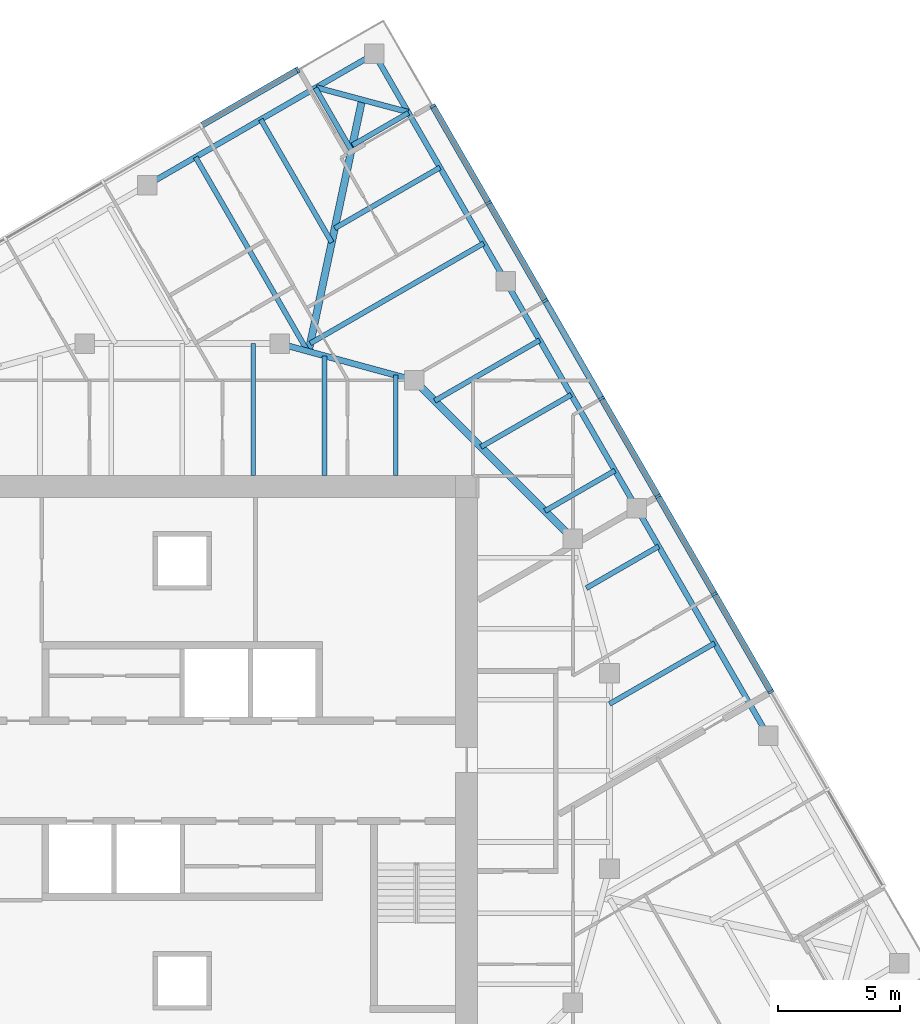
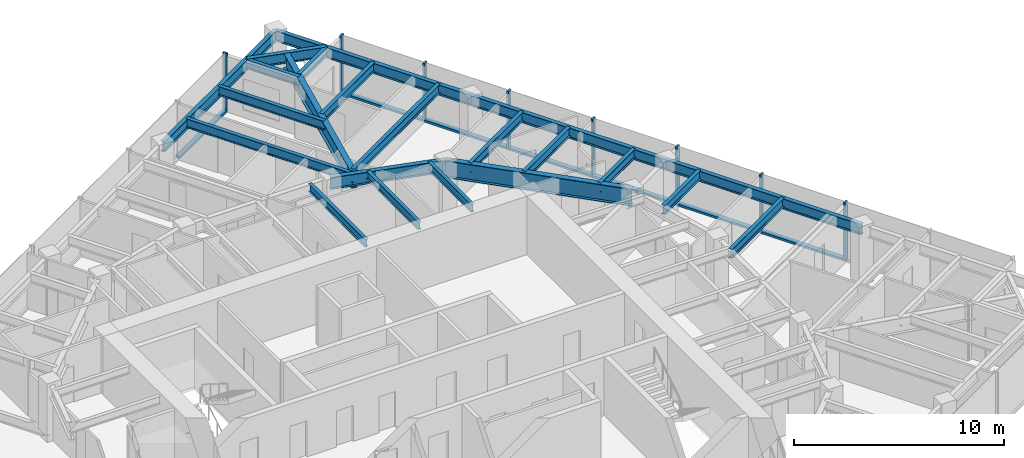
# One storey, part 5 of 12: 22 beams, 15 members, 2 elements without a shape of their own.
"""IFC4 building model written with IfcOpenShell, lengths in metres."""

from ifc_helpers import new_model, si_unit, direction, frame, origin, origin_2d, place, context, subcontext, project, spatial, rectangle, i_section, extrude, material, material_profile, profile_set, type_object, element, aggregate, save


model = new_model("IFC4")

# Units and contexts
model_context = context("Model", 3, precision=1e-05, world=origin(), true_north=direction((0.0, 1.0)))
body_context = subcontext(model_context, "Body", "Model", "MODEL_VIEW")
ifc_project = project(units=[si_unit("LENGTHUNIT", "METRE"), si_unit("AREAUNIT", "SQUARE_METRE"), si_unit("VOLUMEUNIT", "CUBIC_METRE"), si_unit("PLANEANGLEUNIT", "RADIAN"), si_unit("MASSUNIT", "GRAM", prefix="KILO")], contexts=[model_context])

# Site, building, storey
site_placement = place(None, origin())
site = spatial("IfcSite", under=ifc_project, at=site_placement, CompositionType="ELEMENT")
building_placement = place(site_placement, origin())
building = spatial("IfcBuilding", under=site, at=building_placement, Name="Torsade Residences", CompositionType="ELEMENT")
storey_placement = place(building_placement, frame((0.0, 0.0, 218.39990234375)))
storey = spatial("IfcBuildingStorey", under=building, at=storey_placement, Name="L60", CompositionType="ELEMENT", Elevation=218.39990234375)

# Beams
ifc_material_1 = material(Name="Steel grade 300", Category="steel")
ifc_material_profile_1 = material_profile(ifc_material_1, i_section(OverallWidth=0.300048828125, OverallDepth=0.89990234375, WebThickness=0.011962890625, FlangeThickness=0.02490234375, at=origin_2d()), Name="900WB175")
ifc_profile_set_1 = profile_set([ifc_material_profile_1], Name="Steel grade 300")
beam_type_1 = type_object("IfcBeamType", Name="CORNER GIRDER 900WB175", PredefinedType="BEAM", material=ifc_profile_set_1)
beam_1_placement = place(storey_placement, frame((47.3662109375, 57.4912109375, 2.800048828125), z_axis=(-0.20806427425, -0.978115155685, 0.0), x_axis=(0.978115155685, -0.20806427425, 0.0)))
element("IfcBeam", 1, at=beam_1_placement, inside=storey, type_object=beam_type_1, Name="Corner girder 09 L61", PredefinedType="BEAM", context=body_context, shape_type="SweptSolid", body=[
    extrude(i_section(OverallWidth=0.300048828125, OverallDepth=0.89990234375, WebThickness=0.011962890625, FlangeThickness=0.02490234375, at=origin_2d()), origin(), (0.0, 0.0, 1.0), 10.541748046875),
])
ifc_material_2 = material(Name="Steel grade 300", Category="steel")
ifc_material_profile_2 = material_profile(ifc_material_2, i_section(OverallWidth=0.22802734375, OverallDepth=0.60205078125, WebThickness=0.010498046875, FlangeThickness=0.014892578125, FilletRadius=0.013916015625, at=origin_2d()), Name="610UB101")
ifc_profile_set_2 = profile_set([ifc_material_profile_2], Name="Steel grade 300")
beam_type_2 = type_object("IfcBeamType", Name="CORNER TRIMMER 610UB101", PredefinedType="BEAM", material=ifc_profile_set_2)
beam_2_placement = place(storey_placement, frame((45.488037109375, 57.99462890625, 2.94921875), z_axis=(0.965924794002, -0.258822897619, 0.0), x_axis=(0.258822897619, 0.965924794002, 0.0)))
element("IfcBeam", 2, at=beam_2_placement, inside=storey, type_object=beam_type_2, Name="Corner trimmer 09 L61", PredefinedType="BEAM", context=body_context, shape_type="SweptSolid", body=[
    extrude(i_section(OverallWidth=0.22802734375, OverallDepth=0.60205078125, WebThickness=0.010498046875, FlangeThickness=0.014892578125, FilletRadius=0.013916015625, at=origin_2d()), origin(), (0.0, 0.0, 1.0), 3.88916015625),
])
ifc_material_3 = material(Name="Steel grade 300", Category="steel")
ifc_material_profile_3 = material_profile(ifc_material_3, i_section(OverallWidth=0.22900390625, OverallDepth=0.612060546875, WebThickness=0.011962890625, FlangeThickness=0.01953125, FilletRadius=0.013916015625, at=origin_2d()), Name="610UB125")
ifc_profile_set_3 = profile_set([ifc_material_profile_3], Name="Steel grade 300")
beam_type_3 = type_object("IfcBeamType", Name="EDGE BEAM 610UB125", PredefinedType="SPANDREL", material=ifc_profile_set_3)
for number, where, z_axis, x_axis, name in (
    (3, (63.99462890625, 31.440185546875, 2.944091796875), (-0.499998333915, 0.866026365697, 0.0), (-0.866026365697, -0.499998333915, 0.0), "Edge beam 06 L61"),
    (4, (58.61962890625, 40.75, 2.944091796875), (-0.499998333915, 0.866026365697, 0.0), (-0.866026365697, -0.499998333915, 0.0), "Edge beam 07 L61"),
    (5, (53.24462890625, 50.059814453125, 2.944091796875), (-0.499998333915, 0.866026365697, 0.0), (-0.866026365697, -0.499998333915, 0.0), "Edge beam 08 L61"),
    (6, (47.86962890625, 59.36962890625, 2.944091796875), (-0.866026365697, -0.499998333915, 0.0), (0.499998333915, -0.866026365697, 0.0), "Edge beam 09 L61"),
):
    element("IfcBeam", number, at=place(storey_placement, frame(where, z_axis=z_axis, x_axis=x_axis)), inside=storey, type_object=beam_type_3, Name=name, PredefinedType="SPANDREL", context=body_context, shape_type="SweptSolid", body=[
        extrude(i_section(OverallWidth=0.22900390625, OverallDepth=0.612060546875, WebThickness=0.011962890625, FlangeThickness=0.01953125, FilletRadius=0.013916015625, at=origin_2d()), origin(), (0.0, 0.0, 1.0), 10.75),
    ])

# Curtain wall, members
ifc_material_4 = material(Name="Aluminium and glass", Category="aluminium")
curtain_wall_type = type_object("IfcCurtainWallType", Name="FRITTED GLASS CURTAIN WALL HIGH ZONE", PredefinedType="NOTDEFINED", material=ifc_material_4)
curtain_wall_1_placement = place(storey_placement, origin())
curtain_wall_1 = element("IfcCurtainWall", 7, at=curtain_wall_1_placement, inside=storey, type_object=curtain_wall_type, Name="Curtain wall L60 face 4", PredefinedType="NOTDEFINED")
ifc_material_5 = material(Name="Aluminium mullion", Category="aluminium")
ifc_material_profile_4 = material_profile(ifc_material_5, rectangle(XDim=0.25, YDim=0.10009765625, at=origin_2d()), Name="HIGH ZONE CURTAIN WALL MULLION 250x100")
ifc_profile_set_4 = profile_set([ifc_material_profile_4], Name="Aluminium mullion")
member_type_1 = type_object("IfcMemberType", Name="HIGH ZONE CURTAIN WALL MULLION 250x100", PredefinedType="MULLION", material=ifc_profile_set_4)
member_1_placement = place(storey_placement, frame((64.110595703125, 33.2392578125, 0.0), z_axis=(0.0, 0.0, 1.0), x_axis=(-0.866025404186, -0.499999999305, 0.0)))
member_1 = element("IfcMember", 8, at=member_1_placement, type_object=member_type_1, Name="Mullion 3", PredefinedType="MULLION", context=body_context, shape_type="SweptSolid", body=[
    extrude(rectangle(XDim=0.25, YDim=0.10009765625, at=origin_2d()), origin(), (0.0, 0.0, 1.0), 3.400146484375),
])
member_2_placement = place(storey_placement, frame((61.798095703125, 37.24462890625, 0.0), z_axis=(0.0, 0.0, 1.0), x_axis=(-0.866025404186, -0.499999999305, 0.0)))
member_2 = element("IfcMember", 9, at=member_2_placement, type_object=member_type_1, Name="Mullion 4", PredefinedType="MULLION", context=body_context, shape_type="SweptSolid", body=[
    extrude(rectangle(XDim=0.25, YDim=0.10009765625, at=origin_2d()), origin(), (0.0, 0.0, 1.0), 3.400146484375),
])
member_3_placement = place(storey_placement, frame((59.485595703125, 41.25, 0.0), z_axis=(0.0, 0.0, 1.0), x_axis=(-0.866025404186, -0.499999999305, 0.0)))
member_3 = element("IfcMember", 10, at=member_3_placement, type_object=member_type_1, Name="Mullion 5", PredefinedType="MULLION", context=body_context, shape_type="SweptSolid", body=[
    extrude(rectangle(XDim=0.25, YDim=0.10009765625, at=origin_2d()), origin(), (0.0, 0.0, 1.0), 3.400146484375),
])
member_4_placement = place(storey_placement, frame((57.173095703125, 45.25537109375, 0.0), z_axis=(0.0, 0.0, 1.0), x_axis=(-0.866025404186, -0.499999999305, 0.0)))
member_4 = element("IfcMember", 11, at=member_4_placement, type_object=member_type_1, Name="Mullion 6", PredefinedType="MULLION", context=body_context, shape_type="SweptSolid", body=[
    extrude(rectangle(XDim=0.25, YDim=0.10009765625, at=origin_2d()), origin(), (0.0, 0.0, 1.0), 3.400146484375),
])
member_5_placement = place(storey_placement, frame((54.860595703125, 49.2607421875, 0.0), z_axis=(0.0, 0.0, 1.0), x_axis=(-0.866025404186, -0.499999999305, 0.0)))
member_5 = element("IfcMember", 12, at=member_5_placement, type_object=member_type_1, Name="Mullion 7", PredefinedType="MULLION", context=body_context, shape_type="SweptSolid", body=[
    extrude(rectangle(XDim=0.25, YDim=0.10009765625, at=origin_2d()), origin(), (0.0, 0.0, 1.0), 3.400146484375),
])
member_6_placement = place(storey_placement, frame((52.548095703125, 53.26611328125, 0.0), z_axis=(0.0, 0.0, 1.0), x_axis=(-0.866025404186, -0.499999999305, 0.0)))
member_6 = element("IfcMember", 13, at=member_6_placement, type_object=member_type_1, Name="Mullion 8", PredefinedType="MULLION", context=body_context, shape_type="SweptSolid", body=[
    extrude(rectangle(XDim=0.25, YDim=0.10009765625, at=origin_2d()), origin(), (0.0, 0.0, 1.0), 3.400146484375),
])
member_7_placement = place(storey_placement, frame((50.260498046875, 57.228271484375, 0.0), z_axis=(0.0, 0.0, 1.0), x_axis=(-0.866025404186, -0.499999999305, 0.0)))
member_7 = element("IfcMember", 14, at=member_7_placement, type_object=member_type_1, Name="Mullion 9", PredefinedType="MULLION", context=body_context, shape_type="SweptSolid", body=[
    extrude(rectangle(XDim=0.25, YDim=0.10009765625, at=origin_2d()), origin(), (0.0, 0.0, 1.0), 3.400146484375),
])

# Curtain wall, member
curtain_wall_2_placement = place(storey_placement, origin())
curtain_wall_2 = element("IfcCurtainWall", 15, at=curtain_wall_2_placement, inside=storey, type_object=curtain_wall_type, Name="Curtain wall L60 face 7", PredefinedType="NOTDEFINED")
member_8_placement = place(storey_placement, frame((44.728271484375, 58.710693359375, 0.0), z_axis=(0.0, 0.0, 1.0), x_axis=(0.499999999305, -0.866025404186, 0.0)))
member_8 = element("IfcMember", 16, at=member_8_placement, type_object=member_type_1, Name="Mullion 1", PredefinedType="MULLION", context=body_context, shape_type="SweptSolid", body=[
    extrude(rectangle(XDim=0.25, YDim=0.10009765625, at=origin_2d()), origin(), (0.0, 0.0, 1.0), 3.400146484375),
])

# Member
ifc_material_6 = material(Name="Aluminium transom", Category="aluminium")
ifc_material_profile_5 = material_profile(ifc_material_6, rectangle(XDim=0.25, YDim=0.1201171875, at=origin_2d()), Name="HIGH ZONE CURTAIN WALL TRANSOM 250x120")
ifc_profile_set_5 = profile_set([ifc_material_profile_5], Name="Aluminium transom")
member_type_2 = type_object("IfcMemberType", Name="HIGH ZONE CURTAIN WALL TRANSOM 250x120", PredefinedType="USERDEFINED", material=ifc_profile_set_5)
member_9_placement = place(storey_placement, frame((64.085693359375, 33.282470703125, 0.06005859375), z_axis=(-0.500015112013, 0.866016678684, 0.0), x_axis=(-0.866016678684, -0.500015112013, 0.0)))
member_9 = element("IfcMember", 17, at=member_9_placement, type_object=member_type_2, Name="Transom 3.1", ObjectType="TRANSOM", PredefinedType="USERDEFINED", context=body_context, shape_type="SweptSolid", body=[
    extrude(rectangle(XDim=0.25, YDim=0.1201171875, at=origin_2d()), origin(), (0.0, 0.0, 1.0), 4.525146484375),
])

member_10_placement = place(storey_placement, frame((61.773193359375, 37.287841796875, 0.06005859375), z_axis=(-0.500015112013, 0.866016678684, 0.0), x_axis=(-0.866016678684, -0.500015112013, 0.0)))
member_10 = element("IfcMember", 18, at=member_10_placement, type_object=member_type_2, Name="Transom 4.1", ObjectType="TRANSOM", PredefinedType="USERDEFINED", context=body_context, shape_type="SweptSolid", body=[
    extrude(rectangle(XDim=0.25, YDim=0.1201171875, at=origin_2d()), origin(), (0.0, 0.0, 1.0), 4.525146484375),
])

member_11_placement = place(storey_placement, frame((59.460693359375, 41.293212890625, 0.06005859375), z_axis=(-0.500015112013, 0.866016678684, 0.0), x_axis=(-0.866016678684, -0.500015112013, 0.0)))
member_11 = element("IfcMember", 19, at=member_11_placement, type_object=member_type_2, Name="Transom 5.1", ObjectType="TRANSOM", PredefinedType="USERDEFINED", context=body_context, shape_type="SweptSolid", body=[
    extrude(rectangle(XDim=0.25, YDim=0.1201171875, at=origin_2d()), origin(), (0.0, 0.0, 1.0), 4.525146484375),
])

member_12_placement = place(storey_placement, frame((57.148193359375, 45.298583984375, 0.06005859375), z_axis=(-0.500015112013, 0.866016678684, 0.0), x_axis=(-0.866016678684, -0.500015112013, 0.0)))
member_12 = element("IfcMember", 20, at=member_12_placement, type_object=member_type_2, Name="Transom 6.1", ObjectType="TRANSOM", PredefinedType="USERDEFINED", context=body_context, shape_type="SweptSolid", body=[
    extrude(rectangle(XDim=0.25, YDim=0.1201171875, at=origin_2d()), origin(), (0.0, 0.0, 1.0), 4.525146484375),
])

member_13_placement = place(storey_placement, frame((54.835693359375, 49.303955078125, 0.06005859375), z_axis=(-0.500015112013, 0.866016678684, 0.0), x_axis=(-0.866016678684, -0.500015112013, 0.0)))
member_13 = element("IfcMember", 21, at=member_13_placement, type_object=member_type_2, Name="Transom 7.1", ObjectType="TRANSOM", PredefinedType="USERDEFINED", context=body_context, shape_type="SweptSolid", body=[
    extrude(rectangle(XDim=0.25, YDim=0.1201171875, at=origin_2d()), origin(), (0.0, 0.0, 1.0), 4.525146484375),
])

member_14_placement = place(storey_placement, frame((52.523193359375, 53.309326171875, 0.06005859375), z_axis=(-0.50000580312, 0.866022053326, 0.0), x_axis=(-0.866022053326, -0.50000580312, 0.0)))
member_14 = element("IfcMember", 22, at=member_14_placement, type_object=member_type_2, Name="Transom 8.1", ObjectType="TRANSOM", PredefinedType="USERDEFINED", context=body_context, shape_type="SweptSolid", body=[
    extrude(rectangle(XDim=0.25, YDim=0.1201171875, at=origin_2d()), origin(), (0.0, 0.0, 1.0), 4.47509765625),
])

aggregate(curtain_wall_1, [member_1, member_2, member_3, member_4, member_5, member_6, member_7, member_9, member_10, member_11, member_12, member_13, member_14])

member_15_placement = place(storey_placement, frame((44.684814453125, 58.685546875, 0.06005859375), z_axis=(-0.866022053326, -0.50000580312, 0.0), x_axis=(0.50000580312, -0.866022053326, 0.0)))
member_15 = element("IfcMember", 23, at=member_15_placement, type_object=member_type_2, Name="Transom 1.1", ObjectType="TRANSOM", PredefinedType="USERDEFINED", context=body_context, shape_type="SweptSolid", body=[
    extrude(rectangle(XDim=0.25, YDim=0.1201171875, at=origin_2d()), origin(), (0.0, 0.0, 1.0), 4.47509765625),
])

aggregate(curtain_wall_2, [member_8, member_15])

# Beams
ifc_material_7 = material(Name="Steel grade 300", Category="steel")
ifc_material_profile_6 = material_profile(ifc_material_7, i_section(OverallWidth=0.18994140625, OverallDepth=0.4541015625, WebThickness=0.008544921875, FlangeThickness=0.0126953125, FilletRadius=0.011474609375, at=origin_2d()), Name="460UB67.1")
ifc_profile_set_6 = profile_set([ifc_material_profile_6], Name="Steel grade 300")
beam_type_4 = type_object("IfcBeamType", Name="INNER FLOOR BEAM 460UB67.1", PredefinedType="JOIST", material=ifc_profile_set_6)
beam_3_placement = place(storey_placement, frame((42.91259765625, 42.10009765625, 3.023193359375), z_axis=(0.0, 1.0, 0.0), x_axis=(-1.0, 0.0, 0.0)))
element("IfcBeam", 24, at=beam_3_placement, inside=storey, type_object=beam_type_4, Name="Inner floor beam IN05 L61", PredefinedType="JOIST", context=body_context, shape_type="SweptSolid", body=[
    extrude(i_section(OverallWidth=0.18994140625, OverallDepth=0.4541015625, WebThickness=0.008544921875, FlangeThickness=0.0126953125, FilletRadius=0.011474609375, at=origin_2d()), origin(), (0.0, 0.0, 1.0), 5.39990234375),
])
beam_4_placement = place(storey_placement, frame((45.824951171875, 42.10009765625, 3.023193359375), z_axis=(0.0, 1.0, 0.0), x_axis=(-1.0, 0.0, 0.0)))
element("IfcBeam", 25, at=beam_4_placement, inside=storey, type_object=beam_type_4, Name="Inner floor beam IN06 L61", PredefinedType="JOIST", context=body_context, shape_type="SweptSolid", body=[
    extrude(i_section(OverallWidth=0.18994140625, OverallDepth=0.4541015625, WebThickness=0.008544921875, FlangeThickness=0.0126953125, FilletRadius=0.011474609375, at=origin_2d()), origin(), (0.0, 0.0, 1.0), 4.902099609375),
])
beam_5_placement = place(storey_placement, frame((48.737548828125, 42.10009765625, 3.023193359375), z_axis=(0.0, 1.0, 0.0), x_axis=(-1.0, 0.0, 0.0)))
element("IfcBeam", 26, at=beam_5_placement, inside=storey, type_object=beam_type_4, Name="Inner floor beam IN07 L61", PredefinedType="JOIST", context=body_context, shape_type="SweptSolid", body=[
    extrude(i_section(OverallWidth=0.18994140625, OverallDepth=0.4541015625, WebThickness=0.008544921875, FlangeThickness=0.0126953125, FilletRadius=0.011474609375, at=origin_2d()), origin(), (0.0, 0.0, 1.0), 4.10791015625),
])
ifc_material_8 = material(Name="Steel grade 300", Category="steel")
ifc_material_profile_7 = material_profile(ifc_material_8, i_section(OverallWidth=0.300048828125, OverallDepth=1.0, WebThickness=0.01611328125, FlangeThickness=0.028076171875, at=origin_2d()), Name="1000WB215")
ifc_profile_set_7 = profile_set([ifc_material_profile_7], Name="Steel grade 300")
beam_type_5 = type_object("IfcBeamType", Name="RING CORNER GIRDER 1000WB215", PredefinedType="BEAM", material=ifc_profile_set_7)
beam_6_placement = place(storey_placement, frame((56.0, 39.5, 2.75), z_axis=(-0.707106781187, 0.707106781187, 0.0), x_axis=(-0.707106781187, -0.707106781187, 0.0)))
element("IfcBeam", 27, at=beam_6_placement, inside=storey, type_object=beam_type_5, Name="Ring girder IR03 L61", PredefinedType="BEAM", context=body_context, shape_type="SweptSolid", body=[
    extrude(i_section(OverallWidth=0.300048828125, OverallDepth=1.0, WebThickness=0.01611328125, FlangeThickness=0.028076171875, at=origin_2d()), origin(), (0.0, 0.0, 1.0), 9.1923828125),
])
ifc_material_9 = material(Name="Steel grade 300", Category="steel")
ifc_material_profile_8 = material_profile(ifc_material_9, i_section(OverallWidth=0.25, OverallDepth=0.699951171875, WebThickness=0.010009765625, FlangeThickness=0.02001953125, at=origin_2d()), Name="700WB130")
ifc_profile_set_8 = profile_set([ifc_material_profile_8], Name="Steel grade 300")
beam_type_6 = type_object("IfcBeamType", Name="RING GIRDER 700WB130", PredefinedType="BEAM", material=ifc_profile_set_8)
beam_7_placement = place(storey_placement, frame((49.5, 46.0, 2.900146484375), z_axis=(-0.964763821238, 0.263117405792, 0.0), x_axis=(-0.263117405792, -0.964763821238, 0.0)))
element("IfcBeam", 28, at=beam_7_placement, inside=storey, type_object=beam_type_6, Name="Ring girder IR04 L61", PredefinedType="BEAM", context=body_context, shape_type="SweptSolid", body=[
    extrude(i_section(OverallWidth=0.25, OverallDepth=0.699951171875, WebThickness=0.010009765625, FlangeThickness=0.02001953125, at=origin_2d()), origin(), (0.0, 0.0, 1.0), 5.700927734375),
])
ifc_material_10 = material(Name="Steel grade 300", Category="steel")
ifc_material_profile_9 = material_profile(ifc_material_10, i_section(OverallWidth=0.208984375, OverallDepth=0.528076171875, WebThickness=0.009521484375, FlangeThickness=0.01318359375, FilletRadius=0.013916015625, at=origin_2d()), Name="530UB82.0")
ifc_profile_set_9 = profile_set([ifc_material_profile_9], Name="Steel grade 300")
beam_type_7 = type_object("IfcBeamType", Name="SECONDARY BEAM 530UB82.0", PredefinedType="JOIST", material=ifc_profile_set_9)
beam_8_placement = place(storey_placement, frame((61.80712890625, 35.22900390625, 2.986083984375), z_axis=(-0.866038443216, -0.499977414361, 0.0), x_axis=(0.499977414361, -0.866038443216, 0.0)))
element("IfcBeam", 29, at=beam_8_placement, inside=storey, type_object=beam_type_7, Name="Floor beam FE05 L61", PredefinedType="JOIST", context=body_context, shape_type="SweptSolid", body=[
    extrude(i_section(OverallWidth=0.208984375, OverallDepth=0.528076171875, WebThickness=0.009521484375, FlangeThickness=0.01318359375, FilletRadius=0.013916015625, at=origin_2d()), origin(), (0.0, 0.0, 1.0), 4.973388671875),
])
beam_9_placement = place(storey_placement, frame((59.515380859375, 39.198486328125, 2.986083984375), z_axis=(-0.866001587311, -0.500041249073, 0.0), x_axis=(0.500041249073, -0.866001587311, 0.0)))
element("IfcBeam", 30, at=beam_9_placement, inside=storey, type_object=beam_type_7, Name="Floor beam FE06 L61", PredefinedType="JOIST", context=body_context, shape_type="SweptSolid", body=[
    extrude(i_section(OverallWidth=0.208984375, OverallDepth=0.528076171875, WebThickness=0.009521484375, FlangeThickness=0.01318359375, FilletRadius=0.013916015625, at=origin_2d()), origin(), (0.0, 0.0, 1.0), 3.425048828125),
])
beam_10_placement = place(storey_placement, frame((57.7236328125, 42.301513671875, 2.986083984375), z_axis=(-0.866039541186, -0.499975512502, 0.0), x_axis=(0.499975512502, -0.866039541186, 0.0)))
element("IfcBeam", 31, at=beam_10_placement, inside=storey, type_object=beam_type_7, Name="Floor beam FE07 L61", PredefinedType="JOIST", context=body_context, shape_type="SweptSolid", body=[
    extrude(i_section(OverallWidth=0.208984375, OverallDepth=0.528076171875, WebThickness=0.009521484375, FlangeThickness=0.01318359375, FilletRadius=0.013916015625, at=origin_2d()), origin(), (0.0, 0.0, 1.0), 3.312744140625),
])
beam_11_placement = place(storey_placement, frame((55.93212890625, 45.40478515625, 2.986083984375), z_axis=(-0.866022880939, -0.500004369671, 0.0), x_axis=(0.500004369671, -0.866022880939, 0.0)))
element("IfcBeam", 32, at=beam_11_placement, inside=storey, type_object=beam_type_7, Name="Floor beam FE08 L61", PredefinedType="JOIST", context=body_context, shape_type="SweptSolid", body=[
    extrude(i_section(OverallWidth=0.208984375, OverallDepth=0.528076171875, WebThickness=0.009521484375, FlangeThickness=0.01318359375, FilletRadius=0.013916015625, at=origin_2d()), origin(), (0.0, 0.0, 1.0), 4.27294921875),
])
beam_12_placement = place(storey_placement, frame((54.640380859375, 47.64208984375, 2.986083984375), z_axis=(-0.866043933037, -0.49996790502, 0.0), x_axis=(0.49996790502, -0.866043933037, 0.0)))
element("IfcBeam", 33, at=beam_12_placement, inside=storey, type_object=beam_type_7, Name="Floor beam FE09 L61", PredefinedType="JOIST", context=body_context, shape_type="SweptSolid", body=[
    extrude(i_section(OverallWidth=0.208984375, OverallDepth=0.528076171875, WebThickness=0.009521484375, FlangeThickness=0.01318359375, FilletRadius=0.013916015625, at=origin_2d()), origin(), (0.0, 0.0, 1.0), 4.965087890625),
])
beam_13_placement = place(storey_placement, frame((52.3486328125, 51.611328125, 2.986083984375), z_axis=(-0.866030002502, -0.499992034702, 0.0), x_axis=(0.499992034702, -0.866030002502, 0.0)))
element("IfcBeam", 34, at=beam_13_placement, inside=storey, type_object=beam_type_7, Name="Floor beam FE10 L61", PredefinedType="JOIST", context=body_context, shape_type="SweptSolid", body=[
    extrude(i_section(OverallWidth=0.208984375, OverallDepth=0.528076171875, WebThickness=0.009521484375, FlangeThickness=0.01318359375, FilletRadius=0.013916015625, at=origin_2d()), origin(), (0.0, 0.0, 1.0), 8.205322265625),
])
beam_14_placement = place(storey_placement, frame((50.55712890625, 54.714599609375, 2.986083984375), z_axis=(-0.866043477274, -0.499968694491, 0.0), x_axis=(0.499968694491, -0.866043477274, 0.0)))
element("IfcBeam", 35, at=beam_14_placement, inside=storey, type_object=beam_type_7, Name="Floor beam FE11 L61", PredefinedType="JOIST", context=body_context, shape_type="SweptSolid", body=[
    extrude(i_section(OverallWidth=0.208984375, OverallDepth=0.528076171875, WebThickness=0.009521484375, FlangeThickness=0.01318359375, FilletRadius=0.013916015625, at=origin_2d()), origin(), (0.0, 0.0, 1.0), 4.977783203125),
])
beam_15_placement = place(storey_placement, frame((49.265380859375, 56.951904296875, 2.986083984375), z_axis=(-0.866041431316, -0.499972238474, 0.0), x_axis=(0.499972238474, -0.866041431316, 0.0)))
element("IfcBeam", 36, at=beam_15_placement, inside=storey, type_object=beam_type_7, Name="Floor beam FE12 L61", PredefinedType="JOIST", context=body_context, shape_type="SweptSolid", body=[
    extrude(i_section(OverallWidth=0.208984375, OverallDepth=0.528076171875, WebThickness=0.009521484375, FlangeThickness=0.01318359375, FilletRadius=0.013916015625, at=origin_2d()), origin(), (0.0, 0.0, 1.0), 2.651123046875),
])
beam_16_placement = place(storey_placement, frame((45.451904296875, 57.9736328125, 2.986083984375), z_axis=(0.500014013, -0.866017313224, 0.0), x_axis=(0.866017313224, 0.500014013, 0.0)))
element("IfcBeam", 37, at=beam_16_placement, inside=storey, type_object=beam_type_7, Name="Floor beam FN01 L61", PredefinedType="JOIST", context=body_context, shape_type="SweptSolid", body=[
    extrude(i_section(OverallWidth=0.208984375, OverallDepth=0.528076171875, WebThickness=0.009521484375, FlangeThickness=0.01318359375, FilletRadius=0.013916015625, at=origin_2d()), origin(), (0.0, 0.0, 1.0), 2.94775390625),
])
beam_17_placement = place(storey_placement, frame((43.214599609375, 56.68212890625, 2.986083984375), z_axis=(0.499990133118, -0.866031100357, 0.0), x_axis=(0.866031100357, 0.499990133118, 0.0)))
element("IfcBeam", 38, at=beam_17_placement, inside=storey, type_object=beam_type_7, Name="Floor beam FN02 L61", PredefinedType="JOIST", context=body_context, shape_type="SweptSolid", body=[
    extrude(i_section(OverallWidth=0.208984375, OverallDepth=0.528076171875, WebThickness=0.009521484375, FlangeThickness=0.01318359375, FilletRadius=0.013916015625, at=origin_2d()), origin(), (0.0, 0.0, 1.0), 5.81591796875),
])
beam_18_placement = place(storey_placement, frame((40.54443359375, 55.140380859375, 2.986083984375), z_axis=(0.500006393711, -0.866021712342, 0.0), x_axis=(0.866021712342, 0.500006393711, 0.0)))
element("IfcBeam", 39, at=beam_18_placement, inside=storey, type_object=beam_type_7, Name="Floor beam FN03 L61", PredefinedType="JOIST", context=body_context, shape_type="SweptSolid", body=[
    extrude(i_section(OverallWidth=0.208984375, OverallDepth=0.528076171875, WebThickness=0.009521484375, FlangeThickness=0.01318359375, FilletRadius=0.013916015625, at=origin_2d()), origin(), (0.0, 0.0, 1.0), 9.1796875),
])

save(model, "model.ifc")
